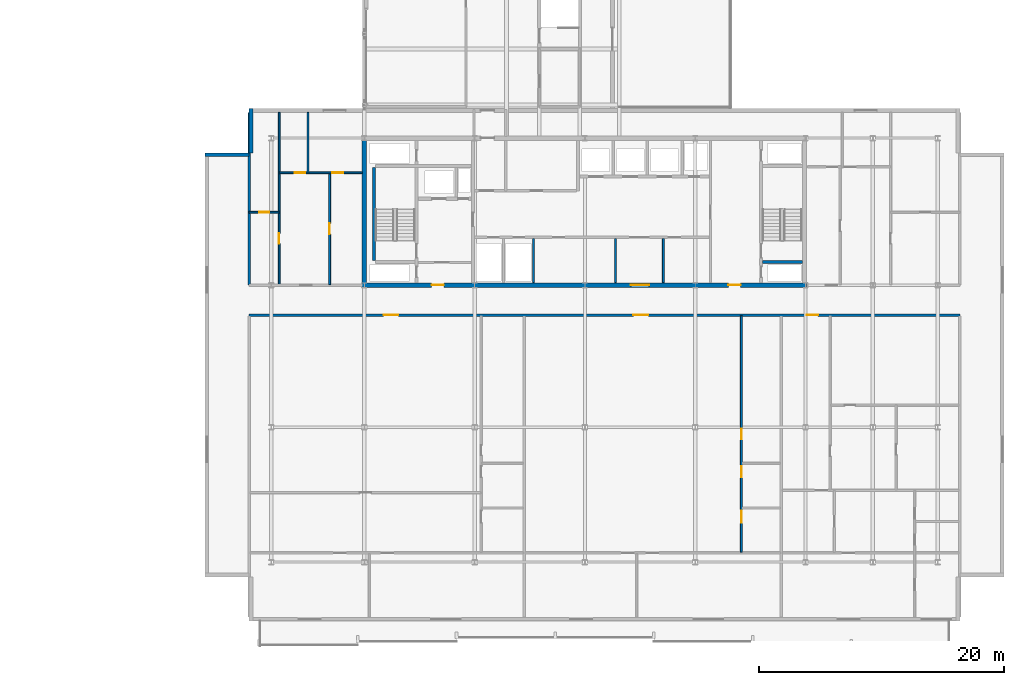
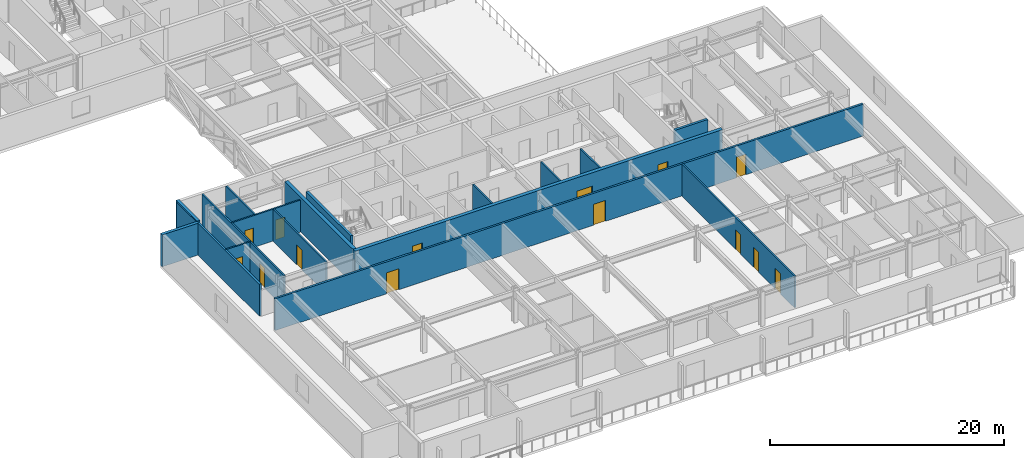
# One storey, part 12 of 28: 17 walls, 14 doors, 14 openings.
"""IFC4 building model written with IfcOpenShell, lengths in metres."""

from ifc_helpers import new_model, si_unit, direction, frame, frame_2d, origin, place, context, subcontext, project, spatial, rectangle, extrude, material, layer, layer_set, type_object, element, fill, save


model = new_model("IFC4")

# Units and contexts
model_context = context("Model", 3, precision=1e-05, world=origin(), true_north=direction((0.0, 1.0)))
body_context = subcontext(model_context, "Body", "Model", "MODEL_VIEW")
ifc_project = project(units=[si_unit("LENGTHUNIT", "METRE"), si_unit("AREAUNIT", "SQUARE_METRE"), si_unit("VOLUMEUNIT", "CUBIC_METRE"), si_unit("PLANEANGLEUNIT", "RADIAN"), si_unit("MASSUNIT", "GRAM", prefix="KILO")], contexts=[model_context])

# Site, building, storey
site_placement = place(None, origin())
site = spatial("IfcSite", under=ifc_project, at=site_placement, CompositionType="ELEMENT")
building_placement = place(site_placement, origin())
building = spatial("IfcBuilding", under=site, at=building_placement, Name="Korimba Cascade Residences", CompositionType="ELEMENT")
storey_placement = place(building_placement, frame((0.0, 0.0, 153.699951171875)))
storey = spatial("IfcBuildingStorey", under=building, at=storey_placement, Name="L44", CompositionType="ELEMENT", Elevation=153.699951171875)

# Walls
ifc_material_1 = material(Name="Precast concrete C40/50", Category="concrete")
ifc_layer_1 = layer(ifc_material_1, 0.300048828125)
ifc_layer_set_1 = layer_set([ifc_layer_1], Name="Precast concrete C40/50")
wall_type_1 = type_object("IfcWallType", Name="EW-STONE-300", PredefinedType="STANDARD", material=ifc_layer_set_1)
wall_1_placement = place(storey_placement, frame((72.85009765625, 32.800048828125, 0.0), z_axis=(0.0, 0.0, 1.0), x_axis=(0.0, -1.0, 0.0)))
element("IfcWall", 1, at=wall_1_placement, inside=storey, type_object=wall_type_1, Name="L44 T2 Perimeter Stone Wall E07", PredefinedType="STANDARD", context=body_context, shape_type="SweptSolid", body=[
    extrude(rectangle(XDim=3.60009765625, YDim=0.300048828125, at=frame_2d((1.800048828125, 0.0))), origin(), (0.0, 0.0, 1.0), 3.320068359375),
])
wall_2_placement = place(storey_placement, frame((72.699951171875, 29.050048828125, 0.0), z_axis=(0.0, 0.0, 1.0), x_axis=(-1.0, 0.0, 0.0)))
element("IfcWall", 2, at=wall_2_placement, inside=storey, type_object=wall_type_1, Name="L44 T2 Perimeter Stone Wall E08", PredefinedType="STANDARD", context=body_context, shape_type="SweptSolid", body=[
    extrude(rectangle(XDim=3.599853515625, YDim=0.300048828125, at=frame_2d((1.7998046875, 0.0))), origin(), (0.0, 0.0, 1.0), 3.320068359375),
])
ifc_material_2 = material(Name="Concrete C65/80", Category="concrete")
ifc_layer_2 = layer(ifc_material_2, 0.35009765625)
ifc_layer_set_2 = layer_set([ifc_layer_2], Name="Concrete C65/80")
wall_type_2 = type_object("IfcWallType", Name="WAL-CORE-350", PredefinedType="SHEAR", material=ifc_layer_set_2)
wall_3_placement = place(storey_placement, frame((82.10009765625, 18.574951171875, 0.0), z_axis=(0.0, 0.0, 1.0), x_axis=(0.0, 1.0, 0.0)))
element("IfcWall", 3, at=wall_3_placement, inside=storey, type_object=wall_type_2, Name="L44 Core Shear Wall CW-L44-T2-W", PredefinedType="SHEAR", context=body_context, shape_type="SweptSolid", body=[
    extrude(rectangle(XDim=11.650146484375, YDim=0.35009765625, at=frame_2d((5.8251953125, 0.0))), origin(), (0.0, 0.0, 1.0), 3.60009765625),
])

# Wall, openings, doors
wall_4_placement = place(storey_placement, frame((81.925048828125, 18.39990234375, 0.0), z_axis=(0.0, 0.0, 1.0), x_axis=(1.0, 0.0, 0.0)))
wall_4 = element("IfcWall", 4, at=wall_4_placement, inside=storey, type_object=wall_type_2, Name="L44 Core Shear Wall CW-L44-T2-S", PredefinedType="SHEAR", context=body_context, shape_type="SweptSolid", body=[
    extrude(rectangle(XDim=36.264892578125, YDim=0.35009765625, at=frame_2d((18.13232421875, 0.0))), origin(), (0.0, 0.0, 1.0), 3.60009765625),
])
opening_1_placement = place(wall_4_placement, frame((5.675048828125, 0.0, 0.0)))
opening_1 = element("IfcOpeningElement", 5, at=opening_1_placement, cuts=wall_4, Name="Opening D-FD5", PredefinedType="OPENING", context=body_context, shape_type="SweptSolid", body=[
    extrude(rectangle(XDim=1.0, YDim=2.14990234375, at=frame_2d((0.5, 1.074951171875))), frame((0.0, 0.18505859375, 0.0), z_axis=(0.0, -1.0, 0.0), x_axis=(1.0, 0.0, 0.0)), (0.0, 0.0, 1.0), 0.3701171875),
])
opening_2_placement = place(wall_4_placement, frame((21.925048828125, 0.0, 0.0)))
opening_2 = element("IfcOpeningElement", 6, at=opening_2_placement, cuts=wall_4, Name="Opening D-FD8", PredefinedType="OPENING", context=body_context, shape_type="SweptSolid", body=[
    extrude(rectangle(XDim=1.5, YDim=2.199951171875, at=frame_2d((0.75, 1.10009765625))), frame((0.0, 0.18505859375, 0.0), z_axis=(0.0, -1.0, 0.0), x_axis=(1.0, 0.0, 0.0)), (0.0, 0.0, 1.0), 0.3701171875),
])
opening_3_placement = place(wall_4_placement, frame((29.875, 0.0, 0.0)))
opening_3 = element("IfcOpeningElement", 7, at=opening_3_placement, cuts=wall_4, Name="Opening D-FD5", PredefinedType="OPENING", context=body_context, shape_type="SweptSolid", body=[
    extrude(rectangle(XDim=1.0, YDim=2.14990234375, at=frame_2d((0.5, 1.074951171875))), frame((0.0, 0.18505859375, 0.0), z_axis=(0.0, -1.0, 0.0), x_axis=(1.0, 0.0, 0.0)), (0.0, 0.0, 1.0), 0.3701171875),
])
ifc_material_3 = material(Name="Fire-Rated Acoustic Timber Vestibule Door", Category="wood")
door_type_1 = type_object("IfcDoorType", Name="DR-FD90-1000", OperationType="NOTDEFINED", PredefinedType="DOOR", material=ifc_material_3)
door_1_placement = place(opening_1_placement, origin())
door_1 = element("IfcDoor", 8, at=door_1_placement, inside=storey, type_object=door_type_1, Name="L44 T2 West Core Vestibule Fire Door", OperationType="SINGLE_SWING_RIGHT", OverallHeight=2.14990234375, OverallWidth=1.0, PredefinedType="DOOR", context=body_context, shape_type="SweptSolid", body=[
    extrude(rectangle(XDim=1.0, YDim=2.14990234375, at=frame_2d((0.5, 1.074951171875))), frame((0.0, 0.02490234375, 0.0), z_axis=(0.0, -1.0, 0.0), x_axis=(1.0, 0.0, 0.0)), (0.0, 0.0, 1.0), 0.050048828125),
])
fill(opening_1, door_1)
door_2_placement = place(opening_3_placement, origin())
door_2 = element("IfcDoor", 9, at=door_2_placement, inside=storey, type_object=door_type_1, Name="L44 T2 East Stair Vestibule Fire Door", OperationType="SINGLE_SWING_LEFT", OverallHeight=2.14990234375, OverallWidth=1.0, PredefinedType="DOOR", context=body_context, shape_type="SweptSolid", body=[
    extrude(rectangle(XDim=1.0, YDim=2.14990234375, at=frame_2d((0.5, 1.074951171875))), frame((0.0, 0.02490234375, 0.0), z_axis=(0.0, -1.0, 0.0), x_axis=(1.0, 0.0, 0.0)), (0.0, 0.0, 1.0), 0.050048828125),
])
fill(opening_3, door_2)
ifc_material_4 = material(Name="Fire-Rated Glazed Lift Lobby Double Door", Category="glass")
door_type_2 = type_object("IfcDoorType", Name="DR-FD90-1500", OperationType="NOTDEFINED", PredefinedType="DOOR", material=ifc_material_4)
door_3_placement = place(opening_2_placement, origin())
door_3 = element("IfcDoor", 10, at=door_3_placement, inside=storey, type_object=door_type_2, Name="L44 T2 Lift Lobby Fire Door", OperationType="DOUBLE_DOOR_SINGLE_SWING", OverallHeight=2.199951171875, OverallWidth=1.5, PredefinedType="DOOR", context=body_context, shape_type="SweptSolid", body=[
    extrude(rectangle(XDim=1.5, YDim=2.199951171875, at=frame_2d((0.75, 1.10009765625))), frame((0.0, 0.02490234375, 0.0), z_axis=(0.0, -1.0, 0.0), x_axis=(1.0, 0.0, 0.0)), (0.0, 0.0, 1.0), 0.050048828125),
])
fill(opening_2, door_3)

# Wall
ifc_layer_3 = layer(ifc_material_1, 0.199951171875)
ifc_layer_set_3 = layer_set([ifc_layer_3], Name="Precast concrete C40/50")
wall_type_3 = type_object("IfcWallType", Name="WAL-IT-200", PredefinedType="PARTITIONING", material=ifc_layer_set_3)
wall_5_placement = place(storey_placement, frame((72.699951171875, 18.39990234375, 0.0), z_axis=(0.0, 0.0, 1.0), x_axis=(0.0, 1.0, 0.0)))
element("IfcWall", 11, at=wall_5_placement, inside=storey, type_object=wall_type_3, Name="L44 Partition Wall WAL-L44-T2-FW-WL", PredefinedType="PARTITIONING", context=body_context, shape_type="SweptSolid", body=[
    extrude(rectangle(XDim=14.10009765625, YDim=0.199951171875, at=frame_2d((7.050048828125, 0.0))), origin(), (0.0, 0.0, 1.0), 3.320068359375),
])

# Wall, openings, doors
wall_6_placement = place(storey_placement, frame((72.699951171875, 15.949951171875, 0.0), z_axis=(0.0, 0.0, 1.0), x_axis=(1.0, 0.0, 0.0)))
wall_6 = element("IfcWall", 12, at=wall_6_placement, inside=storey, type_object=wall_type_3, Name="L44 Partition Wall WAL-L44-T2-CORS", PredefinedType="PARTITIONING", context=body_context, shape_type="SweptSolid", body=[
    extrude(rectangle(XDim=58.0, YDim=0.199951171875, at=frame_2d((29.0, 0.0))), origin(), (0.0, 0.0, 1.0), 3.320068359375),
])
opening_4_placement = place(wall_6_placement, frame((10.966796875, 0.0, 0.0)))
opening_4 = element("IfcOpeningElement", 13, at=opening_4_placement, cuts=wall_6, Name="Opening D-AM1", PredefinedType="OPENING", context=body_context, shape_type="SweptSolid", body=[
    extrude(rectangle(XDim=1.219970703125, YDim=2.179931640625, at=frame_2d((0.60986328125, 1.08984375))), frame((0.0, 0.10986328125, 0.0), z_axis=(0.0, -1.0, 0.0), x_axis=(1.0, 0.0, 0.0)), (0.0, 0.0, 1.0), 0.219970703125),
])
opening_5_placement = place(wall_6_placement, frame((31.359619140625, 0.0, 0.0)))
opening_5 = element("IfcOpeningElement", 14, at=opening_5_placement, cuts=wall_6, Name="Opening D-AM1", PredefinedType="OPENING", context=body_context, shape_type="SweptSolid", body=[
    extrude(rectangle(XDim=1.219970703125, YDim=2.179931640625, at=frame_2d((0.60986328125, 1.08984375))), frame((0.0, 0.10986328125, 0.0), z_axis=(0.0, -1.0, 0.0), x_axis=(1.0, 0.0, 0.0)), (0.0, 0.0, 1.0), 0.219970703125),
])
opening_6_placement = place(wall_6_placement, frame((45.48291015625, 0.0, 0.0)))
opening_6 = element("IfcOpeningElement", 15, at=opening_6_placement, cuts=wall_6, Name="Opening D-UN1", PredefinedType="OPENING", context=body_context, shape_type="SweptSolid", body=[
    extrude(rectangle(XDim=0.949951171875, YDim=2.14990234375, at=frame_2d((0.47509765625, 1.074951171875))), frame((0.0, 0.10986328125, 0.0), z_axis=(0.0, -1.0, 0.0), x_axis=(1.0, 0.0, 0.0)), (0.0, 0.0, 1.0), 0.219970703125),
])
ifc_material_5 = material(Name="Fire-Rated Glazed Timber Suite Door", Category="wood")
door_type_3 = type_object("IfcDoorType", Name="DR-FD60-1200", OperationType="NOTDEFINED", PredefinedType="DOOR", material=ifc_material_5)
door_4_placement = place(opening_4_placement, origin())
door_4 = element("IfcDoor", 16, at=door_4_placement, inside=storey, type_object=door_type_3, Name="L44-T2-U01 Health Consultation Clinic Door", OperationType="SINGLE_SWING_LEFT", OverallHeight=2.179931640625, OverallWidth=1.219970703125, PredefinedType="DOOR", context=body_context, shape_type="SweptSolid", body=[
    extrude(rectangle(XDim=1.219970703125, YDim=2.179931640625, at=frame_2d((0.60986328125, 1.08984375))), frame((0.0, 0.02490234375, 0.0), z_axis=(0.0, -1.0, 0.0), x_axis=(1.0, 0.0, 0.0)), (0.0, 0.0, 1.0), 0.050048828125),
])
fill(opening_4, door_4)
door_5_placement = place(opening_5_placement, origin())
door_5 = element("IfcDoor", 17, at=door_5_placement, inside=storey, type_object=door_type_3, Name="L44-T2-U02 Architecture Reading Library Door", OperationType="SINGLE_SWING_RIGHT", OverallHeight=2.179931640625, OverallWidth=1.219970703125, PredefinedType="DOOR", context=body_context, shape_type="SweptSolid", body=[
    extrude(rectangle(XDim=1.219970703125, YDim=2.179931640625, at=frame_2d((0.60986328125, 1.08984375))), frame((0.0, 0.02490234375, 0.0), z_axis=(0.0, -1.0, 0.0), x_axis=(1.0, 0.0, 0.0)), (0.0, 0.0, 1.0), 0.050048828125),
])
fill(opening_5, door_5)
ifc_material_6 = material(Name="Fire-Rated Hardwood Apartment Entrance Door", Category="wood")
door_type_4 = type_object("IfcDoorType", Name="DR-FD60-950", OperationType="NOTDEFINED", PredefinedType="DOOR", material=ifc_material_6)
door_6_placement = place(opening_6_placement, origin())
door_6 = element("IfcDoor", 18, at=door_6_placement, inside=storey, type_object=door_type_4, Name="Unit L44-T2-U03 Entrance Door", OperationType="SINGLE_SWING_LEFT", OverallHeight=2.14990234375, OverallWidth=0.949951171875, PredefinedType="DOOR", context=body_context, shape_type="SweptSolid", body=[
    extrude(rectangle(XDim=0.949951171875, YDim=2.14990234375, at=frame_2d((0.47509765625, 1.074951171875))), frame((0.0, 0.02490234375, 0.0), z_axis=(0.0, -1.0, 0.0), x_axis=(1.0, 0.0, 0.0)), (0.0, 0.0, 1.0), 0.050048828125),
])
fill(opening_6, door_6)

# Walls
ifc_material_7 = material(Name="Insulated Acoustic Stud Partition", Category="gypsum")
ifc_layer_4 = layer(ifc_material_7, 0.14990234375)
ifc_layer_set_4 = layer_set([ifc_layer_4], Name="Insulated Acoustic Stud Partition")
wall_type_4 = type_object("IfcWallType", Name="WAL-PART-150", PredefinedType="PARTITIONING", material=ifc_layer_set_4)
for number, where, z_axis, x_axis, name in (
    (19, (95.89990234375, 18.60009765625, 0.0), (0.0, 0.0, 1.0), (0.0, 1.0, 0.0), "L44 Partition Wall CW-L44-T2-PRDIV"),
    (20, (102.60009765625, 18.60009765625, 0.0), (0.0, 0.0, 1.0), (0.0, 1.0, 0.0), "L44 Partition Wall CW-L44-T2-THW"),
    (21, (106.5, 18.60009765625, 0.0), (0.0, 0.0, 1.0), (0.0, 1.0, 0.0), "L44 Partition Wall CW-L44-T2-THE"),
):
    element("IfcWall", number, at=place(storey_placement, frame(where, z_axis=z_axis, x_axis=x_axis)), inside=storey, type_object=wall_type_4, Name=name, PredefinedType="PARTITIONING", context=body_context, shape_type="SweptSolid", body=[
        extrude(rectangle(XDim=3.599853515625, YDim=0.14990234375, at=frame_2d((1.7998046875, 0.0))), origin(), (0.0, 0.0, 1.0), 3.320068359375),
    ])

# Wall, opening, door
wall_7_placement = place(storey_placement, frame((72.699951171875, 24.35009765625, 0.0), z_axis=(0.0, 0.0, 1.0), x_axis=(1.0, 0.0, 0.0)))
wall_7 = element("IfcWall", 22, at=wall_7_placement, inside=storey, type_object=wall_type_4, Name="L44 Partition Wall WAL-L44-T2-FW-STH", PredefinedType="PARTITIONING", context=body_context, shape_type="SweptSolid", body=[
    extrude(rectangle(XDim=2.449951171875, YDim=0.14990234375, at=frame_2d((1.22509765625, 0.0))), origin(), (0.0, 0.0, 1.0), 3.320068359375),
])
opening_7_placement = place(wall_7_placement, frame((0.804931640625, 0.0, 0.0)))
opening_7 = element("IfcOpeningElement", 23, at=opening_7_placement, cuts=wall_7, Name="Opening D-BT1", PredefinedType="OPENING", context=body_context, shape_type="SweptSolid", body=[
    extrude(rectangle(XDim=0.840087890625, YDim=2.0400390625, at=frame_2d((0.419921875, 1.02001953125))), frame((0.0, 0.0849609375, 0.0), z_axis=(0.0, -1.0, 0.0), x_axis=(1.0, 0.0, 0.0)), (0.0, 0.0, 1.0), 0.169921875),
])
ifc_material_8 = material(Name="Moisture-Resistant Bathroom Timber Door", Category="wood")
door_type_5 = type_object("IfcDoorType", Name="DR-INT-850", OperationType="NOTDEFINED", PredefinedType="DOOR", material=ifc_material_8)
door_7_placement = place(opening_7_placement, origin())
door_7 = element("IfcDoor", 24, at=door_7_placement, inside=storey, type_object=door_type_5, Name="L44-T2-FW Dressing Store Door", OperationType="SINGLE_SWING_LEFT", OverallHeight=2.0400390625, OverallWidth=0.840087890625, PredefinedType="DOOR", context=body_context, shape_type="SweptSolid", body=[
    extrude(rectangle(XDim=0.840087890625, YDim=2.0400390625, at=frame_2d((0.419921875, 1.02001953125))), frame((0.0, 0.02490234375, 0.0), z_axis=(0.0, -1.0, 0.0), x_axis=(1.0, 0.0, 0.0)), (0.0, 0.0, 1.0), 0.050048828125),
])
fill(opening_7, door_7)

wall_8_placement = place(storey_placement, frame((75.14990234375, 18.449951171875, 0.0), z_axis=(0.0, 0.0, 1.0), x_axis=(0.0, 1.0, 0.0)))
wall_8 = element("IfcWall", 25, at=wall_8_placement, inside=storey, type_object=wall_type_4, Name="L44 Partition Wall WAL-L44-T2-FW-STV", PredefinedType="PARTITIONING", context=body_context, shape_type="SweptSolid", body=[
    extrude(rectangle(XDim=14.050048828125, YDim=0.14990234375, at=frame_2d((7.02490234375, 0.0))), origin(), (0.0, 0.0, 1.0), 3.320068359375),
])
opening_8_placement = place(wall_8_placement, frame((3.320068359375, 0.0, 0.0)))
opening_8 = element("IfcOpeningElement", 26, at=opening_8_placement, cuts=wall_8, Name="Opening D-IN2", PredefinedType="OPENING", context=body_context, shape_type="SweptSolid", body=[
    extrude(rectangle(XDim=0.8798828125, YDim=2.06005859375, at=frame_2d((0.43994140625, 1.030029296875))), frame((0.0, 0.0849609375, 0.0), z_axis=(0.0, -1.0, 0.0), x_axis=(1.0, 0.0, 0.0)), (0.0, 0.0, 1.0), 0.169921875),
])
ifc_material_9 = material(Name="Acoustic Timber Bedroom Door", Category="wood")
door_type_6 = type_object("IfcDoorType", Name="DR-INT-880", OperationType="NOTDEFINED", PredefinedType="DOOR", material=ifc_material_9)
door_8_placement = place(opening_8_placement, origin())
door_8 = element("IfcDoor", 27, at=door_8_placement, inside=storey, type_object=door_type_6, Name="L44-T2-FW Study Door", OperationType="SINGLE_SWING_RIGHT", OverallHeight=2.06005859375, OverallWidth=0.8798828125, PredefinedType="DOOR", context=body_context, shape_type="SweptSolid", body=[
    extrude(rectangle(XDim=0.8798828125, YDim=2.06005859375, at=frame_2d((0.43994140625, 1.030029296875))), frame((0.0, 0.02490234375, 0.0), z_axis=(0.0, -1.0, 0.0), x_axis=(1.0, 0.0, 0.0)), (0.0, 0.0, 1.0), 0.050048828125),
])
fill(opening_8, door_8)

wall_9_placement = place(storey_placement, frame((79.27001953125, 18.449951171875, 0.0), z_axis=(0.0, 0.0, 1.0), x_axis=(0.0, 1.0, 0.0)))
wall_9 = element("IfcWall", 28, at=wall_9_placement, inside=storey, type_object=wall_type_4, Name="L44 Partition Wall WAL-L44-T2-FW-VS", PredefinedType="PARTITIONING", context=body_context, shape_type="SweptSolid", body=[
    extrude(rectangle(XDim=9.1201171875, YDim=0.14990234375, at=frame_2d((4.56005859375, 0.0))), origin(), (0.0, 0.0, 1.0), 3.320068359375),
])
opening_9_placement = place(wall_9_placement, frame((4.10009765625, 0.0, 0.0)))
opening_9 = element("IfcOpeningElement", 29, at=opening_9_placement, cuts=wall_9, Name="Opening D-IN1", PredefinedType="OPENING", context=body_context, shape_type="SweptSolid", body=[
    extrude(rectangle(XDim=0.919921875, YDim=2.080078125, at=frame_2d((0.4599609375, 1.0400390625))), frame((0.0, 0.0849609375, 0.0), z_axis=(0.0, -1.0, 0.0), x_axis=(1.0, 0.0, 0.0)), (0.0, 0.0, 1.0), 0.169921875),
])
ifc_material_10 = material(Name="Acoustic Timber Living Door", Category="wood")
door_type_7 = type_object("IfcDoorType", Name="DR-INT-920", OperationType="NOTDEFINED", PredefinedType="DOOR", material=ifc_material_10)
door_9_placement = place(opening_9_placement, origin())
door_9 = element("IfcDoor", 30, at=door_9_placement, inside=storey, type_object=door_type_7, Name="L44-T2-FW Living Door", OperationType="SINGLE_SWING_LEFT", OverallHeight=2.080078125, OverallWidth=0.919921875, PredefinedType="DOOR", context=body_context, shape_type="SweptSolid", body=[
    extrude(rectangle(XDim=0.919921875, YDim=2.080078125, at=frame_2d((0.4599609375, 1.0400390625))), frame((0.0, 0.02490234375, 0.0), z_axis=(0.0, -1.0, 0.0), x_axis=(1.0, 0.0, 0.0)), (0.0, 0.0, 1.0), 0.050048828125),
])
fill(opening_9, door_9)

# Wall
wall_10_placement = place(storey_placement, frame((77.5, 27.570068359375, 0.0), z_axis=(0.0, 0.0, 1.0), x_axis=(0.0, 1.0, 0.0)))
element("IfcWall", 31, at=wall_10_placement, inside=storey, type_object=wall_type_4, Name="L44 Partition Wall WAL-L44-T2-FW-VN", PredefinedType="PARTITIONING", context=body_context, shape_type="SweptSolid", body=[
    extrude(rectangle(XDim=4.929931640625, YDim=0.14990234375, at=frame_2d((2.46484375, 0.0))), origin(), (0.0, 0.0, 1.0), 3.320068359375),
])

# Wall, openings, doors
wall_11_placement = place(storey_placement, frame((75.169921875, 27.570068359375, 0.0), z_axis=(0.0, 0.0, 1.0), x_axis=(1.0, 0.0, 0.0)))
wall_11 = element("IfcWall", 32, at=wall_11_placement, inside=storey, type_object=wall_type_4, Name="L44 Partition Wall WAL-L44-T2-FW-H", PredefinedType="PARTITIONING", context=body_context, shape_type="SweptSolid", body=[
    extrude(rectangle(XDim=6.760009765625, YDim=0.14990234375, at=frame_2d((3.3798828125, 0.0))), origin(), (0.0, 0.0, 1.0), 3.320068359375),
])
opening_10_placement = place(wall_11_placement, frame((1.266357421875, 0.0, 0.0)))
opening_10 = element("IfcOpeningElement", 33, at=opening_10_placement, cuts=wall_11, Name="Opening D-BT1", PredefinedType="OPENING", context=body_context, shape_type="SweptSolid", body=[
    extrude(rectangle(XDim=0.840087890625, YDim=2.0400390625, at=frame_2d((0.419921875, 1.02001953125))), frame((0.0, 0.0849609375, 0.0), z_axis=(0.0, -1.0, 0.0), x_axis=(1.0, 0.0, 0.0)), (0.0, 0.0, 1.0), 0.169921875),
])
opening_11_placement = place(wall_11_placement, frame((4.320068359375, 0.0, 0.0)))
opening_11 = element("IfcOpeningElement", 34, at=opening_11_placement, cuts=wall_11, Name="Opening D-IN2", PredefinedType="OPENING", context=body_context, shape_type="SweptSolid", body=[
    extrude(rectangle(XDim=0.8798828125, YDim=2.06005859375, at=frame_2d((0.43994140625, 1.030029296875))), frame((0.0, 0.0849609375, 0.0), z_axis=(0.0, -1.0, 0.0), x_axis=(1.0, 0.0, 0.0)), (0.0, 0.0, 1.0), 0.169921875),
])
door_10_placement = place(opening_10_placement, origin())
door_10 = element("IfcDoor", 35, at=door_10_placement, inside=storey, type_object=door_type_5, Name="L44-T2-FW Bathroom Door", OperationType="SINGLE_SWING_RIGHT", OverallHeight=2.0400390625, OverallWidth=0.840087890625, PredefinedType="DOOR", context=body_context, shape_type="SweptSolid", body=[
    extrude(rectangle(XDim=0.840087890625, YDim=2.0400390625, at=frame_2d((0.419921875, 1.02001953125))), frame((0.0, 0.02490234375, 0.0), z_axis=(0.0, -1.0, 0.0), x_axis=(1.0, 0.0, 0.0)), (0.0, 0.0, 1.0), 0.050048828125),
])
fill(opening_10, door_10)
door_11_placement = place(opening_11_placement, origin())
door_11 = element("IfcDoor", 36, at=door_11_placement, inside=storey, type_object=door_type_6, Name="L44-T2-FW Bedroom Door", OperationType="SINGLE_SWING_LEFT", OverallHeight=2.06005859375, OverallWidth=0.8798828125, PredefinedType="DOOR", context=body_context, shape_type="SweptSolid", body=[
    extrude(rectangle(XDim=0.8798828125, YDim=2.06005859375, at=frame_2d((0.43994140625, 1.030029296875))), frame((0.0, 0.02490234375, 0.0), z_axis=(0.0, -1.0, 0.0), x_axis=(1.0, 0.0, 0.0)), (0.0, 0.0, 1.0), 0.050048828125),
])
fill(opening_11, door_11)

wall_12_placement = place(storey_placement, frame((112.867919921875, -3.389892578125, 0.0), z_axis=(0.0, 0.0, 1.0), x_axis=(0.0, 1.0, 0.0)))
wall_12 = element("IfcWall", 37, at=wall_12_placement, inside=storey, type_object=wall_type_4, Name="L44 Partition Wall WAL-L44-T2-U02-WCV", PredefinedType="PARTITIONING", context=body_context, shape_type="SweptSolid", body=[
    extrude(rectangle(XDim=19.27978515625, YDim=0.14990234375, at=frame_2d((9.639892578125, 0.0))), origin(), (0.0, 0.0, 1.0), 3.320068359375),
])
opening_12_placement = place(wall_12_placement, frame((2.406005859375, 0.0, 0.0)))
opening_12 = element("IfcOpeningElement", 38, at=opening_12_placement, cuts=wall_12, Name="Opening D-AC1", PredefinedType="OPENING", context=body_context, shape_type="SweptSolid", body=[
    extrude(rectangle(XDim=0.9599609375, YDim=2.10009765625, at=frame_2d((0.47998046875, 1.050048828125))), frame((0.0, 0.0849609375, 0.0), z_axis=(0.0, -1.0, 0.0), x_axis=(1.0, 0.0, 0.0)), (0.0, 0.0, 1.0), 0.169921875),
])
opening_13_placement = place(wall_12_placement, frame((6.132568359375, 0.0, 0.0)))
opening_13 = element("IfcOpeningElement", 39, at=opening_13_placement, cuts=wall_12, Name="Opening D-IN2", PredefinedType="OPENING", context=body_context, shape_type="SweptSolid", body=[
    extrude(rectangle(XDim=0.8798828125, YDim=2.06005859375, at=frame_2d((0.43994140625, 1.030029296875))), frame((0.0, 0.0849609375, 0.0), z_axis=(0.0, -1.0, 0.0), x_axis=(1.0, 0.0, 0.0)), (0.0, 0.0, 1.0), 0.169921875),
])
opening_14_placement = place(wall_12_placement, frame((9.219970703125, 0.0, 0.0)))
opening_14 = element("IfcOpeningElement", 40, at=opening_14_placement, cuts=wall_12, Name="Opening D-BT1", PredefinedType="OPENING", context=body_context, shape_type="SweptSolid", body=[
    extrude(rectangle(XDim=0.840087890625, YDim=2.0400390625, at=frame_2d((0.419921875, 1.02001953125))), frame((0.0, 0.0849609375, 0.0), z_axis=(0.0, -1.0, 0.0), x_axis=(1.0, 0.0, 0.0)), (0.0, 0.0, 1.0), 0.169921875),
])
ifc_material_11 = material(Name="Accessible Acoustic Timber WC Door", Category="wood")
door_type_8 = type_object("IfcDoorType", Name="DR-ACC-950", OperationType="NOTDEFINED", PredefinedType="DOOR", material=ifc_material_11)
door_12_placement = place(opening_12_placement, origin())
door_12 = element("IfcDoor", 41, at=door_12_placement, inside=storey, type_object=door_type_8, Name="L44-T2-U02 Accessible WC Door", OperationType="SINGLE_SWING_LEFT", OverallHeight=2.10009765625, OverallWidth=0.9599609375, PredefinedType="DOOR", context=body_context, shape_type="SweptSolid", body=[
    extrude(rectangle(XDim=0.9599609375, YDim=2.10009765625, at=frame_2d((0.47998046875, 1.050048828125))), frame((0.0, 0.02490234375, 0.0), z_axis=(0.0, -1.0, 0.0), x_axis=(1.0, 0.0, 0.0)), (0.0, 0.0, 1.0), 0.050048828125),
])
fill(opening_12, door_12)
door_13_placement = place(opening_14_placement, origin())
door_13 = element("IfcDoor", 42, at=door_13_placement, inside=storey, type_object=door_type_5, Name="L44-T2-U02 Suite Store Door", OperationType="SINGLE_SWING_LEFT", OverallHeight=2.0400390625, OverallWidth=0.840087890625, PredefinedType="DOOR", context=body_context, shape_type="SweptSolid", body=[
    extrude(rectangle(XDim=0.840087890625, YDim=2.0400390625, at=frame_2d((0.419921875, 1.02001953125))), frame((0.0, 0.02490234375, 0.0), z_axis=(0.0, -1.0, 0.0), x_axis=(1.0, 0.0, 0.0)), (0.0, 0.0, 1.0), 0.050048828125),
])
fill(opening_14, door_13)
door_14_placement = place(opening_13_placement, origin())
door_14 = element("IfcDoor", 43, at=door_14_placement, inside=storey, type_object=door_type_6, Name="L44-T2-U02 Restroom WC Door", OperationType="SINGLE_SWING_RIGHT", OverallHeight=2.06005859375, OverallWidth=0.8798828125, PredefinedType="DOOR", context=body_context, shape_type="SweptSolid", body=[
    extrude(rectangle(XDim=0.8798828125, YDim=2.06005859375, at=frame_2d((0.43994140625, 1.030029296875))), frame((0.0, 0.02490234375, 0.0), z_axis=(0.0, -1.0, 0.0), x_axis=(1.0, 0.0, 0.0)), (0.0, 0.0, 1.0), 0.050048828125),
])
fill(opening_13, door_14)

# Walls
ifc_material_12 = material(Name="Concrete C50/60", Category="concrete")
ifc_layer_5 = layer(ifc_material_12, 0.25)
ifc_layer_set_5 = layer_set([ifc_layer_5], Name="Concrete C50/60")
wall_type_5 = type_object("IfcWallType", Name="WAL-SHAFT-250", PredefinedType="SHEAR", material=ifc_layer_set_5)
wall_13_placement = place(storey_placement, frame((82.875, 20.39990234375, 0.0), z_axis=(0.0, 0.0, 1.0), x_axis=(0.0, 1.0, 0.0)))
element("IfcWall", 44, at=wall_13_placement, inside=storey, type_object=wall_type_5, Name="L44 Core Shear Wall CW-L44-T2-STE1W", PredefinedType="SHEAR", context=body_context, shape_type="SweptSolid", body=[
    extrude(rectangle(XDim=7.60009765625, YDim=0.25, at=frame_2d((3.800048828125, 0.0))), origin(), (0.0, 0.0, 1.0), 3.60009765625),
])
wall_14_placement = place(storey_placement, frame((114.60009765625, 20.27490234375, 0.0), z_axis=(0.0, 0.0, 1.0), x_axis=(1.0, 0.0, 0.0)))
element("IfcWall", 45, at=wall_14_placement, inside=storey, type_object=wall_type_5, Name="L44 Core Shear Wall CW-L44-T2-STE2S", PredefinedType="SHEAR", context=body_context, shape_type="SweptSolid", body=[
    extrude(rectangle(XDim=3.239990234375, YDim=0.25, at=frame_2d((1.6201171875, 0.0))), origin(), (0.0, 0.0, 1.0), 3.60009765625),
])

save(model, "model.ifc")
